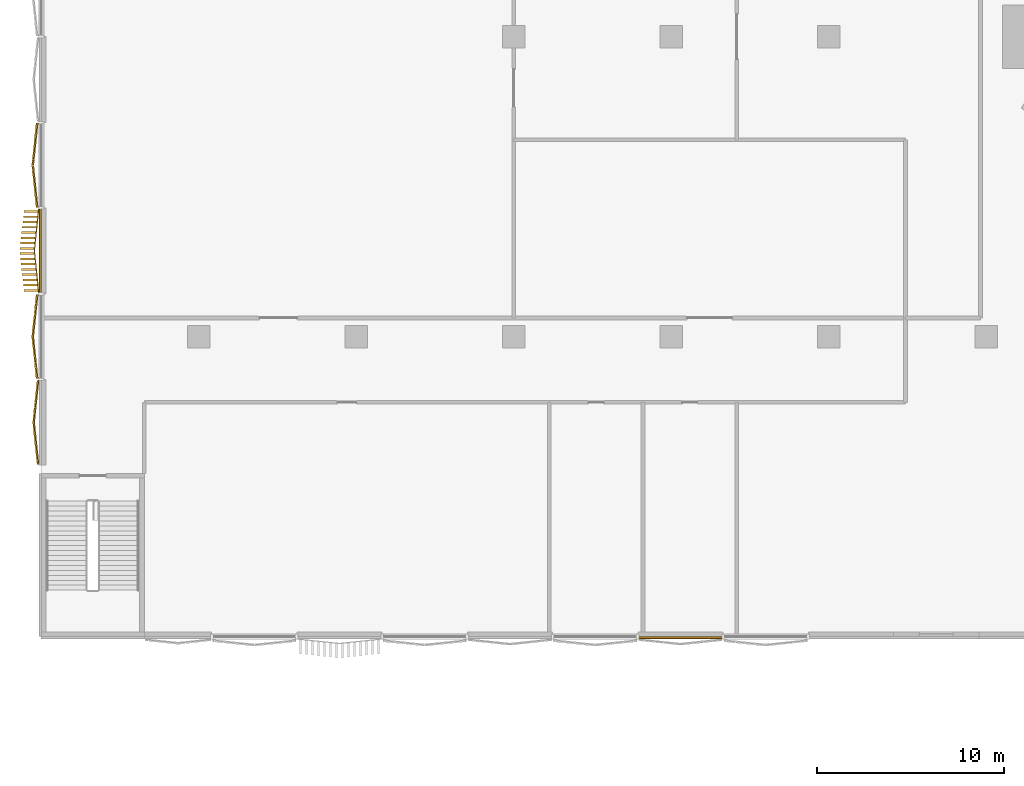
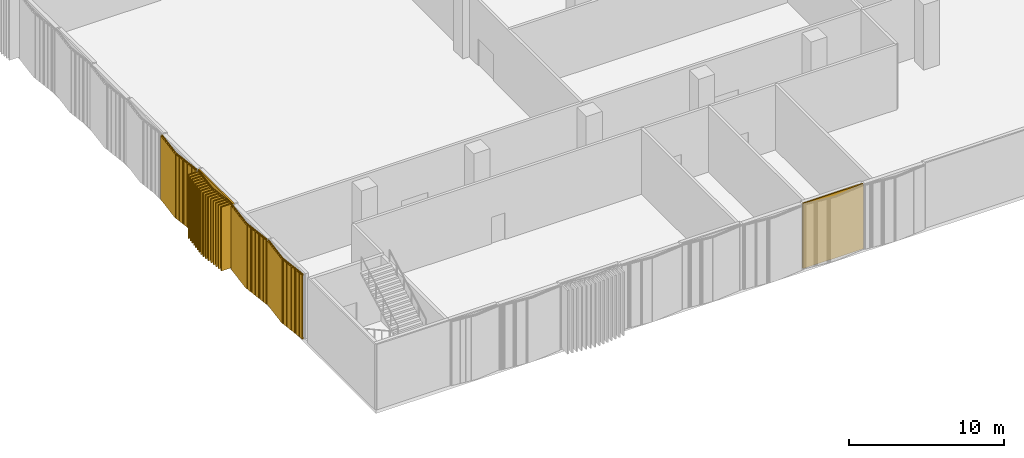
# One storey, part 22 of 31: 6 coverings.
"""IFC4 building model written with IfcOpenShell, lengths in metres."""

import ifcopenshell
import ifcopenshell.guid

model = None  # the IFC model being written
_history = None  # IfcOwnerHistory: only IFC2X3 demands one
_inside = {}  # id of a spatial element -> (the spatial element, [elements in it])
_under = {}  # id of a project, library or spatial element -> (it, [spatial elements below it])
_declared = {}  # id of a project -> (the project, [libraries it declares])
_typed = {}  # id of a type object -> (the type object, [elements of that type])
_made_of = {}  # id of a material, layer set ... -> (it, [elements and type objects made of it])


def new_model(schema):
    """Start an empty IFC model of exactly this schema.

    Asked for "IFC4X3", IfcOpenShell would pick the latest addendum, in which some entities
    have other attributes; the version numbers below select the first issue.
    IFC2X3 requires an IfcOwnerHistory on every rooted entity: one is made here for all.
    """
    global model, _history
    if schema == "IFC4X3":
        model = ifcopenshell.file(schema_version=(4, 3, 0, 0))
    else:
        model = ifcopenshell.file(schema=schema)
    _inside.clear()
    _under.clear()
    _declared.clear()
    _typed.clear()
    _made_of.clear()
    _history = None
    if model.schema == "IFC2X3":
        org = make("IfcOrganization", Name="unknown")
        user = make(
            "IfcPersonAndOrganization",
            ThePerson=make("IfcPerson", FamilyName="unknown"),
            TheOrganization=org,
        )
        app = make(
            "IfcApplication",
            ApplicationDeveloper=org,
            Version="unknown",
            ApplicationFullName="unknown",
            ApplicationIdentifier="unknown",
        )
        _history = make(
            "IfcOwnerHistory",
            OwningUser=user,
            OwningApplication=app,
            ChangeAction="ADDED",
            CreationDate=0,
        )
    return model


def make(cls, **values):
    """One entity of the class cls with the attributes given. An attribute that is None is left unset."""
    return model.create_entity(
        cls, **{name: value for name, value in values.items() if value is not None}
    )


def rooted(cls, **values):
    """An entity with a GlobalId (a new one), such as an element, a storey or a relation."""
    return make(cls, GlobalId=ifcopenshell.guid.new(), OwnerHistory=_history, **values)


def si_unit(unit_type, name, prefix=None):
    """IfcSIUnit, for example si_unit("LENGTHUNIT", "METRE", prefix="MILLI")."""
    return make("IfcSIUnit", UnitType=unit_type, Prefix=prefix, Name=name)


def assignment(units):
    """IfcUnitAssignment: the units of a project."""
    return None if units is None else make("IfcUnitAssignment", Units=units)


def point(xyz):
    """IfcCartesianPoint."""
    return None if xyz is None else make("IfcCartesianPoint", Coordinates=xyz)


def direction(xyz):
    """IfcDirection."""
    return None if xyz is None else make("IfcDirection", DirectionRatios=xyz)


def frame(location, z_axis=None, x_axis=None):
    """IfcAxis2Placement3D, a coordinate frame: its origin and axes. An axis left out is left unset."""
    return make(
        "IfcAxis2Placement3D",
        Location=point(location),
        Axis=direction(z_axis),
        RefDirection=direction(x_axis),
    )


def frame_2d(location, x_axis=None):
    """IfcAxis2Placement2D, a coordinate frame in the plane: its origin and x axis."""
    return make(
        "IfcAxis2Placement2D", Location=point(location), RefDirection=direction(x_axis)
    )


def origin():
    """The frame at (0, 0, 0) with its axes left unset."""
    return frame((0.0, 0.0, 0.0))


def origin_2d():
    """The frame at (0, 0) in the plane with its x axis left unset."""
    return frame_2d((0.0, 0.0))


def place(relative_to, where):
    """IfcLocalPlacement: puts the frame where relative to a parent placement (None: the world)."""
    return make(
        "IfcLocalPlacement", PlacementRelTo=relative_to, RelativePlacement=where
    )


def context(
    kind, dimensions, precision=None, world=None, true_north=None, identifier=None
):
    """IfcGeometricRepresentationContext, for example the 3D "Model" context."""
    return make(
        "IfcGeometricRepresentationContext",
        ContextIdentifier=identifier,
        ContextType=kind,
        CoordinateSpaceDimension=dimensions,
        Precision=precision,
        WorldCoordinateSystem=world,
        TrueNorth=true_north,
    )


def subcontext(parent, identifier, kind, view, scale=None):
    """IfcGeometricRepresentationSubContext, for example "Body" below "Model"."""
    return make(
        "IfcGeometricRepresentationSubContext",
        ContextIdentifier=identifier,
        ContextType=kind,
        ParentContext=parent,
        TargetScale=scale,
        TargetView=view,
    )


def project(units=None, contexts=None):
    """IfcProject with its units and contexts."""
    return rooted(
        "IfcProject",
        Name="project",
        RepresentationContexts=contexts,
        UnitsInContext=assignment(units),
    )


def spatial(cls, under=None, at=None, **own):
    """A site, building, storey or space (cls), placed at a placement, below another one or the project."""
    s = rooted(cls, ObjectPlacement=at, **own)
    if under is not None:
        _under.setdefault(under.id(), (under, []))[1].append(s)
    return s


def profile(cls, at=None, kind="AREA", **sizes):
    """A parametric profile (cls). Its sizes go by their IFC names, for example OverallWidth=200.0."""
    return make(cls, ProfileType=kind, Position=at, **sizes)


def rectangle(**sizes):
    """IfcRectangleProfileDef."""
    return profile("IfcRectangleProfileDef", **sizes)


def extrude(swept, where, along, depth):
    """IfcExtrudedAreaSolid: the profile swept, set in the frame where, extruded along a direction by depth."""
    return make(
        "IfcExtrudedAreaSolid",
        SweptArea=swept,
        Position=where,
        ExtrudedDirection=direction(along),
        Depth=depth,
    )


def shape(context_of_items, identifier, shape_type, items):
    """IfcShapeRepresentation: the items that make up one representation, for example the "Body"."""
    return make(
        "IfcShapeRepresentation",
        ContextOfItems=context_of_items,
        RepresentationIdentifier=identifier,
        RepresentationType=shape_type,
        Items=items,
    )


def source(mapping_origin, context_of_items, identifier, shape_type, items):
    """IfcRepresentationMap: a shape defined once, which mapped items show again and again."""
    return make(
        "IfcRepresentationMap",
        MappingOrigin=mapping_origin,
        MappedRepresentation=shape(context_of_items, identifier, shape_type, items),
    )


def transform(
    local_origin,
    x_axis=None,
    y_axis=None,
    z_axis=None,
    scale=None,
    scale2=None,
    scale3=None,
    uniform=True,
):
    """IfcCartesianTransformationOperator3D, or its non-uniform kind. x_axis, y_axis, z_axis: its Axis1, 2, 3."""
    if uniform:
        return make(
            "IfcCartesianTransformationOperator3D",
            Axis1=direction(x_axis),
            Axis2=direction(y_axis),
            LocalOrigin=point(local_origin),
            Scale=scale,
            Axis3=direction(z_axis),
        )
    return make(
        "IfcCartesianTransformationOperator3DnonUniform",
        Axis1=direction(x_axis),
        Axis2=direction(y_axis),
        LocalOrigin=point(local_origin),
        Scale=scale,
        Axis3=direction(z_axis),
        Scale2=scale2,
        Scale3=scale3,
    )


def mapped(mapping_source, mapping_target):
    """IfcMappedItem: shows the shape of a source again, moved by a transform."""
    return make(
        "IfcMappedItem", MappingSource=mapping_source, MappingTarget=mapping_target
    )


def material(Name=None, Category=None):
    """IfcMaterial."""
    return make("IfcMaterial", Name=Name, Category=Category)


def layer(
    of_material, thickness, ventilated=None, Name=None, Category=None, Priority=None
):
    """IfcMaterialLayer: one layer of a wall or slab, of a material (None: an air gap)."""
    return make(
        "IfcMaterialLayer",
        Material=of_material,
        LayerThickness=thickness,
        IsVentilated=ventilated,
        Name=Name,
        Category=Category,
        Priority=Priority,
    )


def layer_set(layers, Name=None):
    """IfcMaterialLayerSet."""
    return make("IfcMaterialLayerSet", MaterialLayers=layers, LayerSetName=Name)


def made_of(thing, what):
    """Note that an element or type object is made of a material, layer set ...; save() writes the relation."""
    if what is not None:
        _made_of.setdefault(what.id(), (what, []))[1].append(thing)
    return thing


def type_object(cls, material=None, **own):
    """A type object (cls), such as IfcWallType, which elements share."""
    return made_of(rooted(cls, **own), material)


def element(
    cls,
    number,
    at=None,
    inside=None,
    cuts=None,
    type_object=None,
    material=None,
    context=None,
    identifier="Body",
    shape_type=None,
    held_by="IfcProductDefinitionShape",
    body=None,
    shapes=None,
    **own,
):
    """One element of the class cls, such as IfcWall. Its Tag is "e" and its number.

    at: its placement. inside: the storey or other place that contains it. cuts: it is an
    opening in that element (IfcRelVoidsElement). A single representation is given by context,
    identifier, shape_type and body (its items); several are given by shapes. held_by: the class
    of the entity that holds the representations. save() writes the other relations.
    """
    e = rooted(cls, Tag="e%d" % number, ObjectPlacement=at, **own)
    if body is not None:
        shapes = [shape(context, identifier, shape_type, body)]
    if shapes is not None:
        e.Representation = make(held_by, Representations=shapes)
    if inside is not None:
        _inside.setdefault(inside.id(), (inside, []))[1].append(e)
    if cuts is not None:
        rooted(
            "IfcRelVoidsElement", RelatingBuildingElement=cuts, RelatedOpeningElement=e
        )
    if type_object is not None:
        _typed.setdefault(type_object.id(), (type_object, []))[1].append(e)
    return made_of(e, material)


def aggregate(whole, parts):
    """IfcRelAggregates: a whole, such as a stair, and the parts it consists of."""
    return rooted("IfcRelAggregates", RelatingObject=whole, RelatedObjects=parts)


def save(model, path):
    """Write the relations noted so far, then the file.

    IfcRelAggregates (storeys below a building ...), IfcRelContainedInSpatialStructure (elements
    in a storey), IfcRelDefinesByType, IfcRelAssociatesMaterial and IfcRelDeclares: one each for
    every whole, place, type object, material and project.
    """
    for whole, parts in _under.values():
        aggregate(whole, parts)
    for where, things in _inside.values():
        rooted(
            "IfcRelContainedInSpatialStructure",
            RelatedElements=things,
            RelatingStructure=where,
        )
    for kind, things in _typed.values():
        rooted("IfcRelDefinesByType", RelatedObjects=things, RelatingType=kind)
    for what, things in _made_of.values():
        rooted("IfcRelAssociatesMaterial", RelatedObjects=things, RelatingMaterial=what)
    for by, libraries in _declared.values():
        rooted("IfcRelDeclares", RelatingContext=by, RelatedDefinitions=libraries)
    model.write(path)


model = new_model("IFC4")

# Units and contexts
model_context = context("Model", 3, precision=1e-05, world=origin(), true_north=direction((0.0, 1.0)))
body_context = subcontext(model_context, "Body", "Model", "MODEL_VIEW")
ifc_project = project(units=[si_unit("LENGTHUNIT", "METRE"), si_unit("AREAUNIT", "SQUARE_METRE"), si_unit("VOLUMEUNIT", "CUBIC_METRE"), si_unit("PLANEANGLEUNIT", "RADIAN"), si_unit("MASSUNIT", "GRAM", prefix="KILO")], contexts=[model_context])

# Site, building, storey
site_placement = place(None, origin())
site = spatial("IfcSite", under=ifc_project, at=site_placement, CompositionType="ELEMENT")
building_placement = place(site_placement, origin())
building = spatial("IfcBuilding", under=site, at=building_placement, Name="Tamra Quay Hotel Tower", CompositionType="ELEMENT")
storey_placement = place(building_placement, frame((0.0, 0.0, 14.0)))
storey = spatial("IfcBuildingStorey", under=building, at=storey_placement, Name="L02", CompositionType="ELEMENT", Elevation=14.0)

# Coverings
ifc_material_1 = material(Name="Precast concrete M60 terracotta-coloured pierced relief", Category="masonry")
ifc_layer = layer(ifc_material_1, 0.10009765625)
ifc_layer_set = layer_set([ifc_layer], Name="PIERCED RELIEF PANEL 100")
covering_type_1 = type_object("IfcCoveringType", Name="PIERCED RELIEF PANEL 100", PredefinedType="CLADDING", material=ifc_layer_set)
covering_1_placement = place(storey_placement, frame((-89.14990234375, -11.428466796875, 0.0), z_axis=(0.0, 0.0, 1.0), x_axis=(0.0, -1.0, 0.0)))
element("IfcCovering", 1, at=covering_1_placement, inside=storey, type_object=covering_type_1, Name="Relief panel L02.W.07", PredefinedType="CLADDING", context=body_context, shape_type="SweptSolid", body=[
    extrude(rectangle(XDim=4.551513671875, YDim=0.10009765625, at=origin_2d()), origin(), (0.0, 0.0, 1.0), 5.14990234375),
])
covering_2_placement = place(storey_placement, frame((-55.00390625, -32.050048828125, 0.0), z_axis=(0.0, 0.0, 1.0), x_axis=(1.0, 0.0, 0.0)))
element("IfcCovering", 2, at=covering_2_placement, inside=storey, type_object=covering_type_1, Name="Relief panel L02.SW.17", PredefinedType="CLADDING", context=body_context, shape_type="SweptSolid", body=[
    extrude(rectangle(XDim=4.526123046875, YDim=0.10009765625, at=origin_2d()), origin(), (0.0, 0.0, 1.0), 5.14990234375),
])
ifc_material_2 = material(Name="Terracotta baguette extruded", Category="masonry")
covering_type_2 = type_object("IfcCoveringType", Name="BAGUETTE SCREEN PODIUM-SHALLOW H5150", PredefinedType="USERDEFINED", material=ifc_material_2)
shared_shape_1 = source(origin(), body_context, "Body", "SweptSolid", [
    extrude(rectangle(XDim=2.2548828125, YDim=0.06005859375, at=frame_2d((1.12744140625, 0.030029296875))), frame((-2.248779296875, -0.0576171875, -0.1201171875), z_axis=(0.0, 0.0, 1.0), x_axis=(0.994521895368, -0.104528463268, 0.0)), (0.0, 0.0, 1.0), 0.1201171875),
    extrude(rectangle(XDim=2.2548828125, YDim=0.06005859375, at=frame_2d((1.12744140625, 0.030029296875))), frame((-2.248779296875, -0.0576171875, -5.14990234375), z_axis=(0.0, 0.0, 1.0), x_axis=(0.994521895368, -0.104528463268, 0.0)), (0.0, 0.0, 1.0), 0.1201171875),
    extrude(rectangle(XDim=0.094970703125, YDim=0.10009765625, at=frame_2d((0.04736328125, 0.050048828125))), frame((-2.2412109375, -0.133056640625, -5.090087890625)), (0.0, 0.0, 1.0), 5.030029296875),
    extrude(rectangle(XDim=0.094970703125, YDim=0.10009765625, at=frame_2d((0.04736328125, 0.050048828125))), frame((-2.143798828125, -0.143310546875, -5.090087890625)), (0.0, 0.0, 1.0), 5.030029296875),
    extrude(rectangle(XDim=0.094970703125, YDim=0.10009765625, at=frame_2d((0.04736328125, 0.050048828125))), frame((-2.046142578125, -0.153564453125, -5.090087890625)), (0.0, 0.0, 1.0), 5.030029296875),
    extrude(rectangle(XDim=0.094970703125, YDim=0.10009765625, at=frame_2d((0.04736328125, 0.050048828125))), frame((-1.94873046875, -0.163818359375, -5.090087890625)), (0.0, 0.0, 1.0), 5.030029296875),
    extrude(rectangle(XDim=0.094970703125, YDim=0.10009765625, at=frame_2d((0.04736328125, 0.050048828125))), frame((-1.851318359375, -0.174072265625, -5.090087890625)), (0.0, 0.0, 1.0), 5.030029296875),
    extrude(rectangle(XDim=0.094970703125, YDim=0.10009765625, at=frame_2d((0.04736328125, 0.050048828125))), frame((-1.753662109375, -0.184326171875, -5.090087890625)), (0.0, 0.0, 1.0), 5.030029296875),
    extrude(rectangle(XDim=0.094970703125, YDim=0.10009765625, at=frame_2d((0.04736328125, 0.050048828125))), frame((-1.65625, -0.194580078125, -5.090087890625)), (0.0, 0.0, 1.0), 5.030029296875),
    extrude(rectangle(XDim=0.094970703125, YDim=0.10009765625, at=frame_2d((0.04736328125, 0.050048828125))), frame((-1.558837890625, -0.204833984375, -5.090087890625)), (0.0, 0.0, 1.0), 5.030029296875),
    extrude(rectangle(XDim=0.094970703125, YDim=0.10009765625, at=frame_2d((0.04736328125, 0.050048828125))), frame((-1.461181640625, -0.215087890625, -5.090087890625)), (0.0, 0.0, 1.0), 5.030029296875),
    extrude(rectangle(XDim=0.094970703125, YDim=0.10009765625, at=frame_2d((0.04736328125, 0.050048828125))), frame((-1.36376953125, -0.225341796875, -5.090087890625)), (0.0, 0.0, 1.0), 5.030029296875),
    extrude(rectangle(XDim=0.094970703125, YDim=0.10009765625, at=frame_2d((0.04736328125, 0.050048828125))), frame((-1.266357421875, -0.235595703125, -5.090087890625)), (0.0, 0.0, 1.0), 5.030029296875),
    extrude(rectangle(XDim=0.094970703125, YDim=0.10009765625, at=frame_2d((0.04736328125, 0.050048828125))), frame((-1.168701171875, -0.245849609375, -5.090087890625)), (0.0, 0.0, 1.0), 5.030029296875),
    extrude(rectangle(XDim=0.094970703125, YDim=0.10009765625, at=frame_2d((0.04736328125, 0.050048828125))), frame((-1.0712890625, -0.256103515625, -5.090087890625)), (0.0, 0.0, 1.0), 5.030029296875),
    extrude(rectangle(XDim=0.094970703125, YDim=0.10009765625, at=frame_2d((0.04736328125, 0.050048828125))), frame((-0.9736328125, -0.266357421875, -5.090087890625)), (0.0, 0.0, 1.0), 5.030029296875),
    extrude(rectangle(XDim=0.094970703125, YDim=0.10009765625, at=frame_2d((0.04736328125, 0.050048828125))), frame((-0.876220703125, -0.276611328125, -5.090087890625)), (0.0, 0.0, 1.0), 5.030029296875),
    extrude(rectangle(XDim=0.094970703125, YDim=0.10009765625, at=frame_2d((0.04736328125, 0.050048828125))), frame((-0.77880859375, -0.286865234375, -5.090087890625)), (0.0, 0.0, 1.0), 5.030029296875),
    extrude(rectangle(XDim=0.094970703125, YDim=0.10009765625, at=frame_2d((0.04736328125, 0.050048828125))), frame((-0.68115234375, -0.297119140625, -5.090087890625)), (0.0, 0.0, 1.0), 5.030029296875),
    extrude(rectangle(XDim=0.094970703125, YDim=0.10009765625, at=frame_2d((0.04736328125, 0.050048828125))), frame((-0.583740234375, -0.307373046875, -5.090087890625)), (0.0, 0.0, 1.0), 5.030029296875),
    extrude(rectangle(XDim=0.094970703125, YDim=0.10009765625, at=frame_2d((0.04736328125, 0.050048828125))), frame((-0.486328125, -0.317626953125, -5.090087890625)), (0.0, 0.0, 1.0), 5.030029296875),
    extrude(rectangle(XDim=0.094970703125, YDim=0.10009765625, at=frame_2d((0.04736328125, 0.050048828125))), frame((-0.388671875, -0.327880859375, -5.090087890625)), (0.0, 0.0, 1.0), 5.030029296875),
    extrude(rectangle(XDim=0.094970703125, YDim=0.10009765625, at=frame_2d((0.04736328125, 0.050048828125))), frame((-0.291259765625, -0.338134765625, -5.090087890625)), (0.0, 0.0, 1.0), 5.030029296875),
    extrude(rectangle(XDim=0.094970703125, YDim=0.10009765625, at=frame_2d((0.04736328125, 0.050048828125))), frame((-0.19384765625, -0.348388671875, -5.090087890625)), (0.0, 0.0, 1.0), 5.030029296875),
    extrude(rectangle(XDim=0.094970703125, YDim=0.10009765625, at=frame_2d((0.04736328125, 0.050048828125))), frame((-0.09619140625, -0.358642578125, -5.090087890625)), (0.0, 0.0, 1.0), 5.030029296875),
    extrude(rectangle(XDim=2.2548828125, YDim=0.06005859375, at=frame_2d((1.12744140625, 0.030029296875))), frame((0.00634765625, -0.29345703125, -0.1201171875), z_axis=(0.0, 0.0, 1.0), x_axis=(0.994521895368, 0.104528463268, 0.0)), (0.0, 0.0, 1.0), 0.1201171875),
    extrude(rectangle(XDim=2.2548828125, YDim=0.06005859375, at=frame_2d((1.12744140625, 0.030029296875))), frame((0.00634765625, -0.29345703125, -5.14990234375), z_axis=(0.0, 0.0, 1.0), x_axis=(0.994521895368, 0.104528463268, 0.0)), (0.0, 0.0, 1.0), 0.1201171875),
    extrude(rectangle(XDim=0.094970703125, YDim=0.10009765625, at=frame_2d((0.04736328125, 0.050048828125))), frame((0.001220703125, -0.358642578125, -5.090087890625)), (0.0, 0.0, 1.0), 5.030029296875),
    extrude(rectangle(XDim=0.094970703125, YDim=0.10009765625, at=frame_2d((0.04736328125, 0.050048828125))), frame((0.0986328125, -0.348388671875, -5.090087890625)), (0.0, 0.0, 1.0), 5.030029296875),
    extrude(rectangle(XDim=0.094970703125, YDim=0.10009765625, at=frame_2d((0.04736328125, 0.050048828125))), frame((0.1962890625, -0.338134765625, -5.090087890625)), (0.0, 0.0, 1.0), 5.030029296875),
    extrude(rectangle(XDim=0.094970703125, YDim=0.10009765625, at=frame_2d((0.04736328125, 0.050048828125))), frame((0.293701171875, -0.327880859375, -5.090087890625)), (0.0, 0.0, 1.0), 5.030029296875),
    extrude(rectangle(XDim=0.094970703125, YDim=0.10009765625, at=frame_2d((0.04736328125, 0.050048828125))), frame((0.391357421875, -0.317626953125, -5.090087890625)), (0.0, 0.0, 1.0), 5.030029296875),
    extrude(rectangle(XDim=0.094970703125, YDim=0.10009765625, at=frame_2d((0.04736328125, 0.050048828125))), frame((0.48876953125, -0.307373046875, -5.090087890625)), (0.0, 0.0, 1.0), 5.030029296875),
    extrude(rectangle(XDim=0.094970703125, YDim=0.10009765625, at=frame_2d((0.04736328125, 0.050048828125))), frame((0.586181640625, -0.297119140625, -5.090087890625)), (0.0, 0.0, 1.0), 5.030029296875),
    extrude(rectangle(XDim=0.094970703125, YDim=0.10009765625, at=frame_2d((0.04736328125, 0.050048828125))), frame((0.683837890625, -0.286865234375, -5.090087890625)), (0.0, 0.0, 1.0), 5.030029296875),
    extrude(rectangle(XDim=0.094970703125, YDim=0.10009765625, at=frame_2d((0.04736328125, 0.050048828125))), frame((0.78125, -0.276611328125, -5.090087890625)), (0.0, 0.0, 1.0), 5.030029296875),
    extrude(rectangle(XDim=0.094970703125, YDim=0.10009765625, at=frame_2d((0.04736328125, 0.050048828125))), frame((0.878662109375, -0.266357421875, -5.090087890625)), (0.0, 0.0, 1.0), 5.030029296875),
    extrude(rectangle(XDim=0.094970703125, YDim=0.10009765625, at=frame_2d((0.04736328125, 0.050048828125))), frame((0.976318359375, -0.256103515625, -5.090087890625)), (0.0, 0.0, 1.0), 5.030029296875),
    extrude(rectangle(XDim=0.094970703125, YDim=0.10009765625, at=frame_2d((0.04736328125, 0.050048828125))), frame((1.07373046875, -0.245849609375, -5.090087890625)), (0.0, 0.0, 1.0), 5.030029296875),
    extrude(rectangle(XDim=0.094970703125, YDim=0.10009765625, at=frame_2d((0.04736328125, 0.050048828125))), frame((1.171142578125, -0.235595703125, -5.090087890625)), (0.0, 0.0, 1.0), 5.030029296875),
    extrude(rectangle(XDim=0.094970703125, YDim=0.10009765625, at=frame_2d((0.04736328125, 0.050048828125))), frame((1.268798828125, -0.225341796875, -5.090087890625)), (0.0, 0.0, 1.0), 5.030029296875),
    extrude(rectangle(XDim=0.094970703125, YDim=0.10009765625, at=frame_2d((0.04736328125, 0.050048828125))), frame((1.3662109375, -0.215087890625, -5.090087890625)), (0.0, 0.0, 1.0), 5.030029296875),
    extrude(rectangle(XDim=0.094970703125, YDim=0.10009765625, at=frame_2d((0.04736328125, 0.050048828125))), frame((1.4638671875, -0.204833984375, -5.090087890625)), (0.0, 0.0, 1.0), 5.030029296875),
    extrude(rectangle(XDim=0.094970703125, YDim=0.10009765625, at=frame_2d((0.04736328125, 0.050048828125))), frame((1.561279296875, -0.194580078125, -5.090087890625)), (0.0, 0.0, 1.0), 5.030029296875),
    extrude(rectangle(XDim=0.094970703125, YDim=0.10009765625, at=frame_2d((0.04736328125, 0.050048828125))), frame((1.65869140625, -0.184326171875, -5.090087890625)), (0.0, 0.0, 1.0), 5.030029296875),
    extrude(rectangle(XDim=0.094970703125, YDim=0.10009765625, at=frame_2d((0.04736328125, 0.050048828125))), frame((1.75634765625, -0.174072265625, -5.090087890625)), (0.0, 0.0, 1.0), 5.030029296875),
    extrude(rectangle(XDim=0.094970703125, YDim=0.10009765625, at=frame_2d((0.04736328125, 0.050048828125))), frame((1.853759765625, -0.163818359375, -5.090087890625)), (0.0, 0.0, 1.0), 5.030029296875),
    extrude(rectangle(XDim=0.094970703125, YDim=0.10009765625, at=frame_2d((0.04736328125, 0.050048828125))), frame((1.951171875, -0.153564453125, -5.090087890625)), (0.0, 0.0, 1.0), 5.030029296875),
    extrude(rectangle(XDim=0.094970703125, YDim=0.10009765625, at=frame_2d((0.04736328125, 0.050048828125))), frame((2.048828125, -0.143310546875, -5.090087890625)), (0.0, 0.0, 1.0), 5.030029296875),
    extrude(rectangle(XDim=0.094970703125, YDim=0.10009765625, at=frame_2d((0.04736328125, 0.050048828125))), frame((2.146240234375, -0.133056640625, -5.090087890625)), (0.0, 0.0, 1.0), 5.030029296875),
])
for number, where, z_axis, x_axis, name in (
    (3, (-89.248046875, -6.857177734375, 5.14990234375), (0.0, 0.0, 1.0), (0.0, -1.0, 0.0), "Baguette screen L02.W.f03"),
    (4, (-89.248046875, -16.0, 5.14990234375), (0.0, 0.0, 1.0), (0.0, -1.0, 0.0), "Baguette screen L02.W.f04"),
):
    element("IfcCovering", number, at=place(storey_placement, frame(where, z_axis=z_axis, x_axis=x_axis)), inside=storey, type_object=covering_type_2, Name=name, ObjectType="BAGUETTE SCREEN", PredefinedType="USERDEFINED", context=body_context, shape_type="MappedRepresentation", body=[
        mapped(shared_shape_1, transform((0.0, 0.0, 0.0), scale=1.0)),
    ])
covering_type_3 = type_object("IfcCoveringType", Name="BAGUETTE SCREEN SW-DEEP H5150", PredefinedType="USERDEFINED", material=ifc_material_2)
shared_shape_2 = source(origin(), body_context, "Body", "SweptSolid", [
    extrude(rectangle(XDim=2.2548828125, YDim=0.06005859375, at=frame_2d((1.12744140625, 0.030029296875))), frame((-2.248779296875, -0.0576171875, -0.1201171875), z_axis=(0.0, 0.0, 1.0), x_axis=(0.994521895368, -0.104528463268, 0.0)), (0.0, 0.0, 1.0), 0.1201171875),
    extrude(rectangle(XDim=2.2548828125, YDim=0.06005859375, at=frame_2d((1.12744140625, 0.030029296875))), frame((-2.248779296875, -0.0576171875, -5.14990234375), z_axis=(0.0, 0.0, 1.0), x_axis=(0.994521895368, -0.104528463268, 0.0)), (0.0, 0.0, 1.0), 0.1201171875),
    extrude(rectangle(XDim=0.10009765625, YDim=0.780029296875, at=frame_2d((0.050048828125, 0.39013671875))), frame((-2.15234375, -0.82275390625, -5.090087890625)), (0.0, 0.0, 1.0), 5.030029296875),
    extrude(rectangle(XDim=0.10009765625, YDim=0.780029296875, at=frame_2d((0.050048828125, 0.39013671875))), frame((-1.8720703125, -0.852294921875, -5.090087890625)), (0.0, 0.0, 1.0), 5.030029296875),
    extrude(rectangle(XDim=0.10009765625, YDim=0.780029296875, at=frame_2d((0.050048828125, 0.39013671875))), frame((-1.591796875, -0.881591796875, -5.090087890625)), (0.0, 0.0, 1.0), 5.030029296875),
    extrude(rectangle(XDim=0.10009765625, YDim=0.780029296875, at=frame_2d((0.050048828125, 0.39013671875))), frame((-1.3115234375, -0.9111328125, -5.090087890625)), (0.0, 0.0, 1.0), 5.030029296875),
    extrude(rectangle(XDim=0.10009765625, YDim=0.780029296875, at=frame_2d((0.050048828125, 0.39013671875))), frame((-1.031005859375, -0.940673828125, -5.090087890625)), (0.0, 0.0, 1.0), 5.030029296875),
    extrude(rectangle(XDim=0.10009765625, YDim=0.780029296875, at=frame_2d((0.050048828125, 0.39013671875))), frame((-0.750732421875, -0.969970703125, -5.090087890625)), (0.0, 0.0, 1.0), 5.030029296875),
    extrude(rectangle(XDim=0.10009765625, YDim=0.780029296875, at=frame_2d((0.050048828125, 0.39013671875))), frame((-0.470458984375, -0.99951171875, -5.090087890625)), (0.0, 0.0, 1.0), 5.030029296875),
    extrude(rectangle(XDim=0.10009765625, YDim=0.780029296875, at=frame_2d((0.050048828125, 0.39013671875))), frame((-0.190185546875, -1.029052734375, -5.090087890625)), (0.0, 0.0, 1.0), 5.030029296875),
    extrude(rectangle(XDim=2.2548828125, YDim=0.06005859375, at=frame_2d((1.12744140625, 0.030029296875))), frame((0.00634765625, -0.29345703125, -0.1201171875), z_axis=(0.0, 0.0, 1.0), x_axis=(0.994521895368, 0.104528463268, 0.0)), (0.0, 0.0, 1.0), 0.1201171875),
    extrude(rectangle(XDim=2.2548828125, YDim=0.06005859375, at=frame_2d((1.12744140625, 0.030029296875))), frame((0.00634765625, -0.29345703125, -5.14990234375), z_axis=(0.0, 0.0, 1.0), x_axis=(0.994521895368, 0.104528463268, 0.0)), (0.0, 0.0, 1.0), 0.1201171875),
    extrude(rectangle(XDim=0.10009765625, YDim=0.780029296875, at=frame_2d((0.050048828125, 0.39013671875))), frame((0.090087890625, -1.029052734375, -5.090087890625)), (0.0, 0.0, 1.0), 5.030029296875),
    extrude(rectangle(XDim=0.10009765625, YDim=0.780029296875, at=frame_2d((0.050048828125, 0.39013671875))), frame((0.370361328125, -0.99951171875, -5.090087890625)), (0.0, 0.0, 1.0), 5.030029296875),
    extrude(rectangle(XDim=0.10009765625, YDim=0.780029296875, at=frame_2d((0.050048828125, 0.39013671875))), frame((0.65087890625, -0.969970703125, -5.090087890625)), (0.0, 0.0, 1.0), 5.030029296875),
    extrude(rectangle(XDim=0.10009765625, YDim=0.780029296875, at=frame_2d((0.050048828125, 0.39013671875))), frame((0.93115234375, -0.940673828125, -5.090087890625)), (0.0, 0.0, 1.0), 5.030029296875),
    extrude(rectangle(XDim=0.10009765625, YDim=0.780029296875, at=frame_2d((0.050048828125, 0.39013671875))), frame((1.21142578125, -0.9111328125, -5.090087890625)), (0.0, 0.0, 1.0), 5.030029296875),
    extrude(rectangle(XDim=0.10009765625, YDim=0.780029296875, at=frame_2d((0.050048828125, 0.39013671875))), frame((1.49169921875, -0.881591796875, -5.090087890625)), (0.0, 0.0, 1.0), 5.030029296875),
    extrude(rectangle(XDim=0.10009765625, YDim=0.780029296875, at=frame_2d((0.050048828125, 0.39013671875))), frame((1.77197265625, -0.852294921875, -5.090087890625)), (0.0, 0.0, 1.0), 5.030029296875),
    extrude(rectangle(XDim=0.10009765625, YDim=0.780029296875, at=frame_2d((0.050048828125, 0.39013671875))), frame((2.05224609375, -0.82275390625, -5.090087890625)), (0.0, 0.0, 1.0), 5.030029296875),
])
covering_3_placement = place(storey_placement, frame((-89.199951171875, -11.428466796875, 5.14990234375), z_axis=(0.0, 0.0, 1.0), x_axis=(0.0, -1.0, 0.0)))
element("IfcCovering", 5, at=covering_3_placement, inside=storey, type_object=covering_type_3, Name="Baguette screen wing.L02.W.07", ObjectType="BAGUETTE SCREEN", PredefinedType="USERDEFINED", context=body_context, shape_type="MappedRepresentation", body=[
    mapped(shared_shape_2, transform((0.0, 0.0, 0.0), scale=1.0)),
])
covering_type_4 = type_object("IfcCoveringType", Name="BAGUETTE SCREEN SW-SHALLOW H5150", PredefinedType="USERDEFINED", material=ifc_material_2)
shared_shape_3 = source(origin(), body_context, "Body", "SweptSolid", [
    extrude(rectangle(XDim=2.2548828125, YDim=0.06005859375, at=frame_2d((1.12744140625, 0.030029296875))), frame((-2.248779296875, -0.0576171875, -0.1201171875), z_axis=(0.0, 0.0, 1.0), x_axis=(0.994521895368, -0.104528463268, 0.0)), (0.0, 0.0, 1.0), 0.1201171875),
    extrude(rectangle(XDim=2.2548828125, YDim=0.06005859375, at=frame_2d((1.12744140625, 0.030029296875))), frame((-2.248779296875, -0.0576171875, -5.14990234375), z_axis=(0.0, 0.0, 1.0), x_axis=(0.994521895368, -0.104528463268, 0.0)), (0.0, 0.0, 1.0), 0.1201171875),
    extrude(rectangle(XDim=0.094970703125, YDim=0.10009765625, at=frame_2d((0.04736328125, 0.050048828125))), frame((-2.2412109375, -0.133056640625, -5.090087890625)), (0.0, 0.0, 1.0), 5.030029296875),
    extrude(rectangle(XDim=0.094970703125, YDim=0.10009765625, at=frame_2d((0.04736328125, 0.050048828125))), frame((-2.143798828125, -0.143310546875, -5.090087890625)), (0.0, 0.0, 1.0), 5.030029296875),
    extrude(rectangle(XDim=0.094970703125, YDim=0.10009765625, at=frame_2d((0.04736328125, 0.050048828125))), frame((-2.046142578125, -0.153564453125, -5.090087890625)), (0.0, 0.0, 1.0), 5.030029296875),
    extrude(rectangle(XDim=0.094970703125, YDim=0.10009765625, at=frame_2d((0.04736328125, 0.050048828125))), frame((-1.94873046875, -0.163818359375, -5.090087890625)), (0.0, 0.0, 1.0), 5.030029296875),
    extrude(rectangle(XDim=0.094970703125, YDim=0.10009765625, at=frame_2d((0.04736328125, 0.050048828125))), frame((-1.851318359375, -0.174072265625, -5.090087890625)), (0.0, 0.0, 1.0), 5.030029296875),
    extrude(rectangle(XDim=0.094970703125, YDim=0.10009765625, at=frame_2d((0.04736328125, 0.050048828125))), frame((-1.753662109375, -0.184326171875, -5.090087890625)), (0.0, 0.0, 1.0), 5.030029296875),
    extrude(rectangle(XDim=0.094970703125, YDim=0.10009765625, at=frame_2d((0.04736328125, 0.050048828125))), frame((-1.65625, -0.194580078125, -5.090087890625)), (0.0, 0.0, 1.0), 5.030029296875),
    extrude(rectangle(XDim=0.094970703125, YDim=0.10009765625, at=frame_2d((0.04736328125, 0.050048828125))), frame((-1.558837890625, -0.204833984375, -5.090087890625)), (0.0, 0.0, 1.0), 5.030029296875),
    extrude(rectangle(XDim=0.094970703125, YDim=0.10009765625, at=frame_2d((0.04736328125, 0.050048828125))), frame((-1.461181640625, -0.215087890625, -5.090087890625)), (0.0, 0.0, 1.0), 5.030029296875),
    extrude(rectangle(XDim=0.094970703125, YDim=0.10009765625, at=frame_2d((0.04736328125, 0.050048828125))), frame((-1.36376953125, -0.225341796875, -5.090087890625)), (0.0, 0.0, 1.0), 5.030029296875),
    extrude(rectangle(XDim=0.094970703125, YDim=0.10009765625, at=frame_2d((0.04736328125, 0.050048828125))), frame((-1.266357421875, -0.235595703125, -5.090087890625)), (0.0, 0.0, 1.0), 5.030029296875),
    extrude(rectangle(XDim=0.094970703125, YDim=0.10009765625, at=frame_2d((0.04736328125, 0.050048828125))), frame((-1.168701171875, -0.245849609375, -5.090087890625)), (0.0, 0.0, 1.0), 5.030029296875),
    extrude(rectangle(XDim=0.094970703125, YDim=0.10009765625, at=frame_2d((0.04736328125, 0.050048828125))), frame((-1.0712890625, -0.256103515625, -5.090087890625)), (0.0, 0.0, 1.0), 5.030029296875),
    extrude(rectangle(XDim=0.094970703125, YDim=0.10009765625, at=frame_2d((0.04736328125, 0.050048828125))), frame((-0.9736328125, -0.266357421875, -5.090087890625)), (0.0, 0.0, 1.0), 5.030029296875),
    extrude(rectangle(XDim=0.094970703125, YDim=0.10009765625, at=frame_2d((0.04736328125, 0.050048828125))), frame((-0.876220703125, -0.276611328125, -5.090087890625)), (0.0, 0.0, 1.0), 5.030029296875),
    extrude(rectangle(XDim=0.094970703125, YDim=0.10009765625, at=frame_2d((0.04736328125, 0.050048828125))), frame((-0.77880859375, -0.286865234375, -5.090087890625)), (0.0, 0.0, 1.0), 5.030029296875),
    extrude(rectangle(XDim=0.094970703125, YDim=0.10009765625, at=frame_2d((0.04736328125, 0.050048828125))), frame((-0.68115234375, -0.297119140625, -5.090087890625)), (0.0, 0.0, 1.0), 5.030029296875),
    extrude(rectangle(XDim=0.094970703125, YDim=0.10009765625, at=frame_2d((0.04736328125, 0.050048828125))), frame((-0.583740234375, -0.307373046875, -5.090087890625)), (0.0, 0.0, 1.0), 5.030029296875),
    extrude(rectangle(XDim=0.094970703125, YDim=0.10009765625, at=frame_2d((0.04736328125, 0.050048828125))), frame((-0.486328125, -0.317626953125, -5.090087890625)), (0.0, 0.0, 1.0), 5.030029296875),
    extrude(rectangle(XDim=0.094970703125, YDim=0.10009765625, at=frame_2d((0.04736328125, 0.050048828125))), frame((-0.388671875, -0.327880859375, -5.090087890625)), (0.0, 0.0, 1.0), 5.030029296875),
    extrude(rectangle(XDim=0.094970703125, YDim=0.10009765625, at=frame_2d((0.04736328125, 0.050048828125))), frame((-0.291259765625, -0.338134765625, -5.090087890625)), (0.0, 0.0, 1.0), 5.030029296875),
    extrude(rectangle(XDim=0.094970703125, YDim=0.10009765625, at=frame_2d((0.04736328125, 0.050048828125))), frame((-0.19384765625, -0.348388671875, -5.090087890625)), (0.0, 0.0, 1.0), 5.030029296875),
    extrude(rectangle(XDim=0.094970703125, YDim=0.10009765625, at=frame_2d((0.04736328125, 0.050048828125))), frame((-0.09619140625, -0.358642578125, -5.090087890625)), (0.0, 0.0, 1.0), 5.030029296875),
    extrude(rectangle(XDim=2.2548828125, YDim=0.06005859375, at=frame_2d((1.12744140625, 0.030029296875))), frame((0.00634765625, -0.29345703125, -0.1201171875), z_axis=(0.0, 0.0, 1.0), x_axis=(0.994521895368, 0.104528463268, 0.0)), (0.0, 0.0, 1.0), 0.1201171875),
    extrude(rectangle(XDim=2.2548828125, YDim=0.06005859375, at=frame_2d((1.12744140625, 0.030029296875))), frame((0.00634765625, -0.29345703125, -5.14990234375), z_axis=(0.0, 0.0, 1.0), x_axis=(0.994521895368, 0.104528463268, 0.0)), (0.0, 0.0, 1.0), 0.1201171875),
    extrude(rectangle(XDim=0.094970703125, YDim=0.10009765625, at=frame_2d((0.04736328125, 0.050048828125))), frame((0.001220703125, -0.358642578125, -5.090087890625)), (0.0, 0.0, 1.0), 5.030029296875),
    extrude(rectangle(XDim=0.094970703125, YDim=0.10009765625, at=frame_2d((0.04736328125, 0.050048828125))), frame((0.0986328125, -0.348388671875, -5.090087890625)), (0.0, 0.0, 1.0), 5.030029296875),
    extrude(rectangle(XDim=0.094970703125, YDim=0.10009765625, at=frame_2d((0.04736328125, 0.050048828125))), frame((0.1962890625, -0.338134765625, -5.090087890625)), (0.0, 0.0, 1.0), 5.030029296875),
    extrude(rectangle(XDim=0.094970703125, YDim=0.10009765625, at=frame_2d((0.04736328125, 0.050048828125))), frame((0.293701171875, -0.327880859375, -5.090087890625)), (0.0, 0.0, 1.0), 5.030029296875),
    extrude(rectangle(XDim=0.094970703125, YDim=0.10009765625, at=frame_2d((0.04736328125, 0.050048828125))), frame((0.391357421875, -0.317626953125, -5.090087890625)), (0.0, 0.0, 1.0), 5.030029296875),
    extrude(rectangle(XDim=0.094970703125, YDim=0.10009765625, at=frame_2d((0.04736328125, 0.050048828125))), frame((0.48876953125, -0.307373046875, -5.090087890625)), (0.0, 0.0, 1.0), 5.030029296875),
    extrude(rectangle(XDim=0.094970703125, YDim=0.10009765625, at=frame_2d((0.04736328125, 0.050048828125))), frame((0.586181640625, -0.297119140625, -5.090087890625)), (0.0, 0.0, 1.0), 5.030029296875),
    extrude(rectangle(XDim=0.094970703125, YDim=0.10009765625, at=frame_2d((0.04736328125, 0.050048828125))), frame((0.683837890625, -0.286865234375, -5.090087890625)), (0.0, 0.0, 1.0), 5.030029296875),
    extrude(rectangle(XDim=0.094970703125, YDim=0.10009765625, at=frame_2d((0.04736328125, 0.050048828125))), frame((0.78125, -0.276611328125, -5.090087890625)), (0.0, 0.0, 1.0), 5.030029296875),
    extrude(rectangle(XDim=0.094970703125, YDim=0.10009765625, at=frame_2d((0.04736328125, 0.050048828125))), frame((0.878662109375, -0.266357421875, -5.090087890625)), (0.0, 0.0, 1.0), 5.030029296875),
    extrude(rectangle(XDim=0.094970703125, YDim=0.10009765625, at=frame_2d((0.04736328125, 0.050048828125))), frame((0.976318359375, -0.256103515625, -5.090087890625)), (0.0, 0.0, 1.0), 5.030029296875),
    extrude(rectangle(XDim=0.094970703125, YDim=0.10009765625, at=frame_2d((0.04736328125, 0.050048828125))), frame((1.07373046875, -0.245849609375, -5.090087890625)), (0.0, 0.0, 1.0), 5.030029296875),
    extrude(rectangle(XDim=0.094970703125, YDim=0.10009765625, at=frame_2d((0.04736328125, 0.050048828125))), frame((1.171142578125, -0.235595703125, -5.090087890625)), (0.0, 0.0, 1.0), 5.030029296875),
    extrude(rectangle(XDim=0.094970703125, YDim=0.10009765625, at=frame_2d((0.04736328125, 0.050048828125))), frame((1.268798828125, -0.225341796875, -5.090087890625)), (0.0, 0.0, 1.0), 5.030029296875),
    extrude(rectangle(XDim=0.094970703125, YDim=0.10009765625, at=frame_2d((0.04736328125, 0.050048828125))), frame((1.3662109375, -0.215087890625, -5.090087890625)), (0.0, 0.0, 1.0), 5.030029296875),
    extrude(rectangle(XDim=0.094970703125, YDim=0.10009765625, at=frame_2d((0.04736328125, 0.050048828125))), frame((1.4638671875, -0.204833984375, -5.090087890625)), (0.0, 0.0, 1.0), 5.030029296875),
    extrude(rectangle(XDim=0.094970703125, YDim=0.10009765625, at=frame_2d((0.04736328125, 0.050048828125))), frame((1.561279296875, -0.194580078125, -5.090087890625)), (0.0, 0.0, 1.0), 5.030029296875),
    extrude(rectangle(XDim=0.094970703125, YDim=0.10009765625, at=frame_2d((0.04736328125, 0.050048828125))), frame((1.65869140625, -0.184326171875, -5.090087890625)), (0.0, 0.0, 1.0), 5.030029296875),
    extrude(rectangle(XDim=0.094970703125, YDim=0.10009765625, at=frame_2d((0.04736328125, 0.050048828125))), frame((1.75634765625, -0.174072265625, -5.090087890625)), (0.0, 0.0, 1.0), 5.030029296875),
    extrude(rectangle(XDim=0.094970703125, YDim=0.10009765625, at=frame_2d((0.04736328125, 0.050048828125))), frame((1.853759765625, -0.163818359375, -5.090087890625)), (0.0, 0.0, 1.0), 5.030029296875),
    extrude(rectangle(XDim=0.094970703125, YDim=0.10009765625, at=frame_2d((0.04736328125, 0.050048828125))), frame((1.951171875, -0.153564453125, -5.090087890625)), (0.0, 0.0, 1.0), 5.030029296875),
    extrude(rectangle(XDim=0.094970703125, YDim=0.10009765625, at=frame_2d((0.04736328125, 0.050048828125))), frame((2.048828125, -0.143310546875, -5.090087890625)), (0.0, 0.0, 1.0), 5.030029296875),
    extrude(rectangle(XDim=0.094970703125, YDim=0.10009765625, at=frame_2d((0.04736328125, 0.050048828125))), frame((2.146240234375, -0.133056640625, -5.090087890625)), (0.0, 0.0, 1.0), 5.030029296875),
])
covering_4_placement = place(storey_placement, frame((-89.199951171875, -20.571533203125, 5.14990234375), z_axis=(0.0, 0.0, 1.0), x_axis=(0.0, -1.0, 0.0)))
element("IfcCovering", 6, at=covering_4_placement, inside=storey, type_object=covering_type_4, Name="Baguette screen wing.L02.W.09", ObjectType="BAGUETTE SCREEN", PredefinedType="USERDEFINED", context=body_context, shape_type="MappedRepresentation", body=[
    mapped(shared_shape_3, transform((0.0, 0.0, 0.0), scale=1.0)),
])

save(model, "model.ifc")
